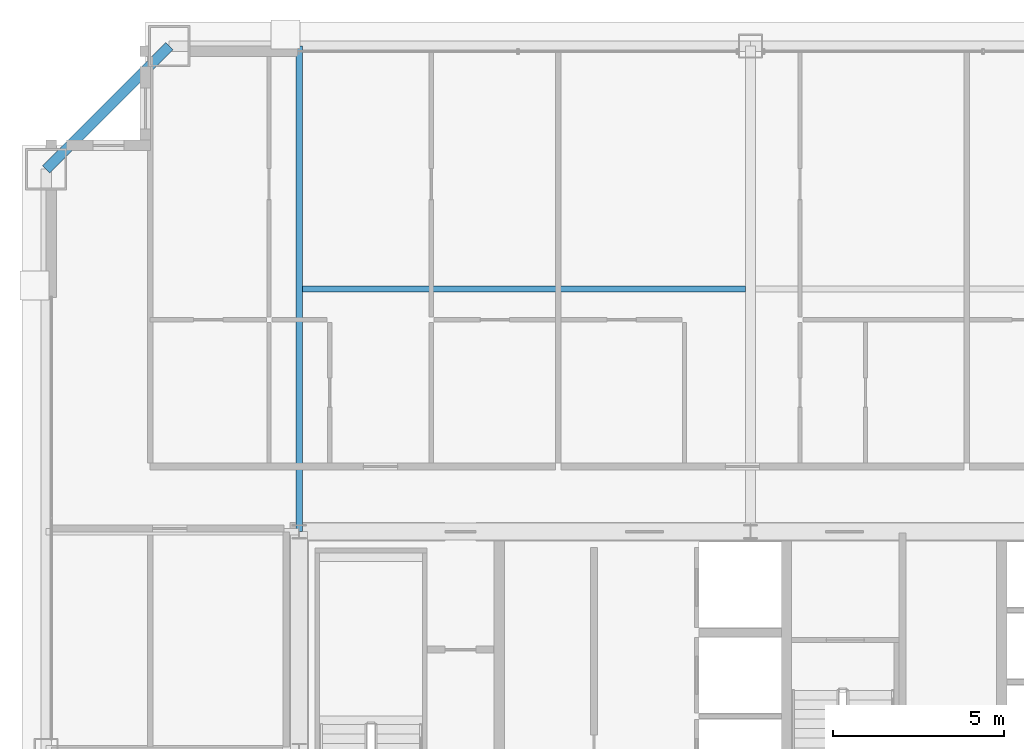
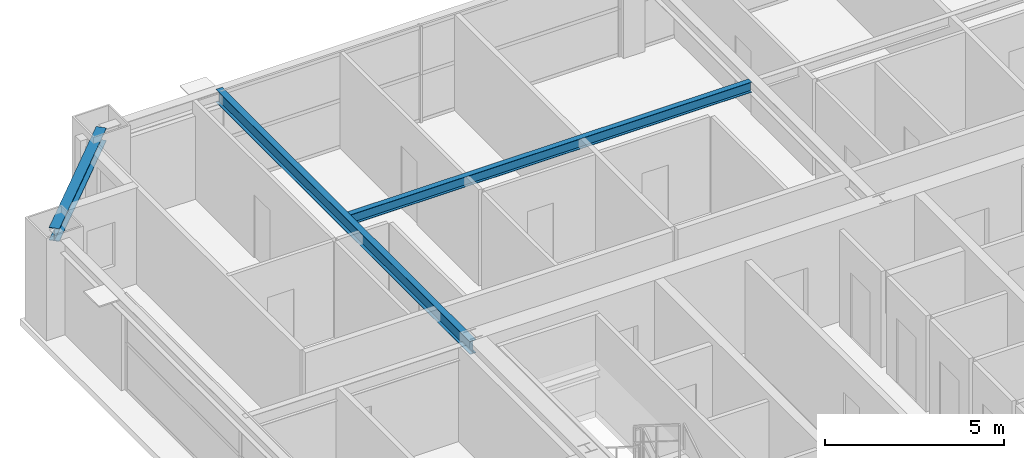
# One storey, part 23 of 37: 3 beams.
"""IFC4 building model written with IfcOpenShell, lengths in metres."""

import ifcopenshell
import ifcopenshell.guid

model = None  # the IFC model being written
_history = None  # IfcOwnerHistory: only IFC2X3 demands one
_inside = {}  # id of a spatial element -> (the spatial element, [elements in it])
_under = {}  # id of a project, library or spatial element -> (it, [spatial elements below it])
_declared = {}  # id of a project -> (the project, [libraries it declares])
_typed = {}  # id of a type object -> (the type object, [elements of that type])
_made_of = {}  # id of a material, layer set ... -> (it, [elements and type objects made of it])


def new_model(schema):
    """Start an empty IFC model of exactly this schema.

    Asked for "IFC4X3", IfcOpenShell would pick the latest addendum, in which some entities
    have other attributes; the version numbers below select the first issue.
    IFC2X3 requires an IfcOwnerHistory on every rooted entity: one is made here for all.
    """
    global model, _history
    if schema == "IFC4X3":
        model = ifcopenshell.file(schema_version=(4, 3, 0, 0))
    else:
        model = ifcopenshell.file(schema=schema)
    _inside.clear()
    _under.clear()
    _declared.clear()
    _typed.clear()
    _made_of.clear()
    _history = None
    if model.schema == "IFC2X3":
        org = make("IfcOrganization", Name="unknown")
        user = make(
            "IfcPersonAndOrganization",
            ThePerson=make("IfcPerson", FamilyName="unknown"),
            TheOrganization=org,
        )
        app = make(
            "IfcApplication",
            ApplicationDeveloper=org,
            Version="unknown",
            ApplicationFullName="unknown",
            ApplicationIdentifier="unknown",
        )
        _history = make(
            "IfcOwnerHistory",
            OwningUser=user,
            OwningApplication=app,
            ChangeAction="ADDED",
            CreationDate=0,
        )
    return model


def make(cls, **values):
    """One entity of the class cls with the attributes given. An attribute that is None is left unset."""
    return model.create_entity(
        cls, **{name: value for name, value in values.items() if value is not None}
    )


def rooted(cls, **values):
    """An entity with a GlobalId (a new one), such as an element, a storey or a relation."""
    return make(cls, GlobalId=ifcopenshell.guid.new(), OwnerHistory=_history, **values)


def si_unit(unit_type, name, prefix=None):
    """IfcSIUnit, for example si_unit("LENGTHUNIT", "METRE", prefix="MILLI")."""
    return make("IfcSIUnit", UnitType=unit_type, Prefix=prefix, Name=name)


def assignment(units):
    """IfcUnitAssignment: the units of a project."""
    return None if units is None else make("IfcUnitAssignment", Units=units)


def point(xyz):
    """IfcCartesianPoint."""
    return None if xyz is None else make("IfcCartesianPoint", Coordinates=xyz)


def direction(xyz):
    """IfcDirection."""
    return None if xyz is None else make("IfcDirection", DirectionRatios=xyz)


def frame(location, z_axis=None, x_axis=None):
    """IfcAxis2Placement3D, a coordinate frame: its origin and axes. An axis left out is left unset."""
    return make(
        "IfcAxis2Placement3D",
        Location=point(location),
        Axis=direction(z_axis),
        RefDirection=direction(x_axis),
    )


def frame_2d(location, x_axis=None):
    """IfcAxis2Placement2D, a coordinate frame in the plane: its origin and x axis."""
    return make(
        "IfcAxis2Placement2D", Location=point(location), RefDirection=direction(x_axis)
    )


def origin():
    """The frame at (0, 0, 0) with its axes left unset."""
    return frame((0.0, 0.0, 0.0))


def origin_2d():
    """The frame at (0, 0) in the plane with its x axis left unset."""
    return frame_2d((0.0, 0.0))


def place(relative_to, where):
    """IfcLocalPlacement: puts the frame where relative to a parent placement (None: the world)."""
    return make(
        "IfcLocalPlacement", PlacementRelTo=relative_to, RelativePlacement=where
    )


def context(
    kind, dimensions, precision=None, world=None, true_north=None, identifier=None
):
    """IfcGeometricRepresentationContext, for example the 3D "Model" context."""
    return make(
        "IfcGeometricRepresentationContext",
        ContextIdentifier=identifier,
        ContextType=kind,
        CoordinateSpaceDimension=dimensions,
        Precision=precision,
        WorldCoordinateSystem=world,
        TrueNorth=true_north,
    )


def subcontext(parent, identifier, kind, view, scale=None):
    """IfcGeometricRepresentationSubContext, for example "Body" below "Model"."""
    return make(
        "IfcGeometricRepresentationSubContext",
        ContextIdentifier=identifier,
        ContextType=kind,
        ParentContext=parent,
        TargetScale=scale,
        TargetView=view,
    )


def project(units=None, contexts=None):
    """IfcProject with its units and contexts."""
    return rooted(
        "IfcProject",
        Name="project",
        RepresentationContexts=contexts,
        UnitsInContext=assignment(units),
    )


def spatial(cls, under=None, at=None, **own):
    """A site, building, storey or space (cls), placed at a placement, below another one or the project."""
    s = rooted(cls, ObjectPlacement=at, **own)
    if under is not None:
        _under.setdefault(under.id(), (under, []))[1].append(s)
    return s


def profile(cls, at=None, kind="AREA", **sizes):
    """A parametric profile (cls). Its sizes go by their IFC names, for example OverallWidth=200.0."""
    return make(cls, ProfileType=kind, Position=at, **sizes)


def i_section(**sizes):
    """IfcIShapeProfileDef."""
    return profile("IfcIShapeProfileDef", **sizes)


def extrude(swept, where, along, depth):
    """IfcExtrudedAreaSolid: the profile swept, set in the frame where, extruded along a direction by depth."""
    return make(
        "IfcExtrudedAreaSolid",
        SweptArea=swept,
        Position=where,
        ExtrudedDirection=direction(along),
        Depth=depth,
    )


def shape(context_of_items, identifier, shape_type, items):
    """IfcShapeRepresentation: the items that make up one representation, for example the "Body"."""
    return make(
        "IfcShapeRepresentation",
        ContextOfItems=context_of_items,
        RepresentationIdentifier=identifier,
        RepresentationType=shape_type,
        Items=items,
    )


def source(mapping_origin, context_of_items, identifier, shape_type, items):
    """IfcRepresentationMap: a shape defined once, which mapped items show again and again."""
    return make(
        "IfcRepresentationMap",
        MappingOrigin=mapping_origin,
        MappedRepresentation=shape(context_of_items, identifier, shape_type, items),
    )


def transform(
    local_origin,
    x_axis=None,
    y_axis=None,
    z_axis=None,
    scale=None,
    scale2=None,
    scale3=None,
    uniform=True,
):
    """IfcCartesianTransformationOperator3D, or its non-uniform kind. x_axis, y_axis, z_axis: its Axis1, 2, 3."""
    if uniform:
        return make(
            "IfcCartesianTransformationOperator3D",
            Axis1=direction(x_axis),
            Axis2=direction(y_axis),
            LocalOrigin=point(local_origin),
            Scale=scale,
            Axis3=direction(z_axis),
        )
    return make(
        "IfcCartesianTransformationOperator3DnonUniform",
        Axis1=direction(x_axis),
        Axis2=direction(y_axis),
        LocalOrigin=point(local_origin),
        Scale=scale,
        Axis3=direction(z_axis),
        Scale2=scale2,
        Scale3=scale3,
    )


def mapped(mapping_source, mapping_target):
    """IfcMappedItem: shows the shape of a source again, moved by a transform."""
    return make(
        "IfcMappedItem", MappingSource=mapping_source, MappingTarget=mapping_target
    )


def material(Name=None, Category=None):
    """IfcMaterial."""
    return make("IfcMaterial", Name=Name, Category=Category)


def material_profile(
    of_material, cross_section, Name=None, Category=None, Priority=None
):
    """IfcMaterialProfile: a cross section and its material."""
    return make(
        "IfcMaterialProfile",
        Name=Name,
        Material=of_material,
        Profile=cross_section,
        Priority=Priority,
        Category=Category,
    )


def profile_set(profiles, Name=None, composite=None):
    """IfcMaterialProfileSet."""
    return make(
        "IfcMaterialProfileSet",
        Name=Name,
        MaterialProfiles=profiles,
        CompositeProfile=composite,
    )


def made_of(thing, what):
    """Note that an element or type object is made of a material, layer set ...; save() writes the relation."""
    if what is not None:
        _made_of.setdefault(what.id(), (what, []))[1].append(thing)
    return thing


def type_object(cls, material=None, **own):
    """A type object (cls), such as IfcWallType, which elements share."""
    return made_of(rooted(cls, **own), material)


def element(
    cls,
    number,
    at=None,
    inside=None,
    cuts=None,
    type_object=None,
    material=None,
    context=None,
    identifier="Body",
    shape_type=None,
    held_by="IfcProductDefinitionShape",
    body=None,
    shapes=None,
    **own,
):
    """One element of the class cls, such as IfcWall. Its Tag is "e" and its number.

    at: its placement. inside: the storey or other place that contains it. cuts: it is an
    opening in that element (IfcRelVoidsElement). A single representation is given by context,
    identifier, shape_type and body (its items); several are given by shapes. held_by: the class
    of the entity that holds the representations. save() writes the other relations.
    """
    e = rooted(cls, Tag="e%d" % number, ObjectPlacement=at, **own)
    if body is not None:
        shapes = [shape(context, identifier, shape_type, body)]
    if shapes is not None:
        e.Representation = make(held_by, Representations=shapes)
    if inside is not None:
        _inside.setdefault(inside.id(), (inside, []))[1].append(e)
    if cuts is not None:
        rooted(
            "IfcRelVoidsElement", RelatingBuildingElement=cuts, RelatedOpeningElement=e
        )
    if type_object is not None:
        _typed.setdefault(type_object.id(), (type_object, []))[1].append(e)
    return made_of(e, material)


def aggregate(whole, parts):
    """IfcRelAggregates: a whole, such as a stair, and the parts it consists of."""
    return rooted("IfcRelAggregates", RelatingObject=whole, RelatedObjects=parts)


def save(model, path):
    """Write the relations noted so far, then the file.

    IfcRelAggregates (storeys below a building ...), IfcRelContainedInSpatialStructure (elements
    in a storey), IfcRelDefinesByType, IfcRelAssociatesMaterial and IfcRelDeclares: one each for
    every whole, place, type object, material and project.
    """
    for whole, parts in _under.values():
        aggregate(whole, parts)
    for where, things in _inside.values():
        rooted(
            "IfcRelContainedInSpatialStructure",
            RelatedElements=things,
            RelatingStructure=where,
        )
    for kind, things in _typed.values():
        rooted("IfcRelDefinesByType", RelatedObjects=things, RelatingType=kind)
    for what, things in _made_of.values():
        rooted("IfcRelAssociatesMaterial", RelatedObjects=things, RelatingMaterial=what)
    for by, libraries in _declared.values():
        rooted("IfcRelDeclares", RelatingContext=by, RelatedDefinitions=libraries)
    model.write(path)


model = new_model("IFC4")

# Units and contexts
model_context = context("Model", 3, precision=1e-05, world=origin(), true_north=direction((0.0, 1.0)))
body_context = subcontext(model_context, "Body", "Model", "MODEL_VIEW")
ifc_project = project(units=[si_unit("LENGTHUNIT", "METRE"), si_unit("AREAUNIT", "SQUARE_METRE"), si_unit("VOLUMEUNIT", "CUBIC_METRE"), si_unit("PLANEANGLEUNIT", "RADIAN"), si_unit("MASSUNIT", "GRAM", prefix="KILO"), si_unit("THERMODYNAMICTEMPERATUREUNIT", "KELVIN"), si_unit("POWERUNIT", "WATT")], contexts=[model_context])

# Site, building, storey
site_placement = place(None, origin())
site = spatial("IfcSite", under=ifc_project, at=site_placement, CompositionType="ELEMENT")
building_placement = place(site_placement, origin())
building = spatial("IfcBuilding", under=site, at=building_placement, Name="Yuzanri Waterfront Tower", CompositionType="ELEMENT")
storey_placement = place(building_placement, frame((0.0, 0.0, 245.10009765625)))
storey = spatial("IfcBuildingStorey", under=building, at=storey_placement, Name="L65", CompositionType="ELEMENT", Elevation=245.10009765625)

# Beams
ifc_material_1 = material(Name="Steel Q355B", Category="steel")
ifc_material_profile_1 = material_profile(ifc_material_1, i_section(OverallWidth=0.300048828125, OverallDepth=0.43994140625, WebThickness=0.010986328125, FlangeThickness=0.01806640625, at=origin_2d()), Name="HM 440x300x11x18")
ifc_profile_set_1 = profile_set([ifc_material_profile_1], Name="Steel Q355B")
beam_type_1 = type_object("IfcBeamType", Name="Perimeter Spandrel Q355B HM 440x300", PredefinedType="SPANDREL", material=ifc_profile_set_1)
shared_shape_1 = source(origin(), body_context, "Body", "SweptSolid", [
    extrude(i_section(OverallWidth=0.300048828125, OverallDepth=0.43994140625, WebThickness=0.010986328125, FlangeThickness=0.01806640625, at=origin_2d()), origin(), (0.0, 0.0, 1.0), 5.091064453125),
])
beam_1_placement = place(storey_placement, frame((20.0, 46.39990234375, 3.059814453125), z_axis=(-0.707130757816, -0.707082803744, 0.0), x_axis=(0.707082803744, -0.707130757816, 0.0)))
element("IfcBeam", 1, at=beam_1_placement, inside=storey, type_object=beam_type_1, Name="L65 Perimeter Spandrel N1-W3", PredefinedType="SPANDREL", context=body_context, shape_type="MappedRepresentation", body=[
    mapped(shared_shape_1, transform((0.0, 0.0, 0.0), scale=1.0)),
])
ifc_material_2 = material(Name="Steel Q355B", Category="steel")
ifc_material_profile_2 = material_profile(ifc_material_2, i_section(OverallWidth=0.199951171875, OverallDepth=0.449951171875, WebThickness=0.009033203125, FlangeThickness=0.013916015625, at=origin_2d()), Name="HN 450x200x9x14")
ifc_profile_set_2 = profile_set([ifc_material_profile_2], Name="Steel Q355B")
beam_type_2 = type_object("IfcBeamType", Name="Secondary Floor Beam Q355B HN 450x200", PredefinedType="BEAM", material=ifc_profile_set_2)
shared_shape_2 = source(origin(), body_context, "Body", "SweptSolid", [
    extrude(i_section(OverallWidth=0.199951171875, OverallDepth=0.449951171875, WebThickness=0.009033203125, FlangeThickness=0.013916015625, at=origin_2d()), origin(), (0.0, 0.0, 1.0), 14.199951171875),
])
beam_2_placement = place(storey_placement, frame((23.800048828125, 32.199951171875, 3.054931640625), z_axis=(0.0, 1.0, 0.0), x_axis=(-1.0, 0.0, 0.0)))
element("IfcBeam", 2, at=beam_2_placement, inside=storey, type_object=beam_type_2, Name="L65 North-West Core Line Beam", PredefinedType="BEAM", context=body_context, shape_type="MappedRepresentation", body=[
    mapped(shared_shape_2, transform((0.0, 0.0, 0.0), scale=1.0)),
])
ifc_material_3 = material(Name="Steel Q355B", Category="steel")
ifc_material_profile_3 = material_profile(ifc_material_3, i_section(OverallWidth=0.175048828125, OverallDepth=0.35009765625, WebThickness=0.007080078125, FlangeThickness=0.010986328125, at=origin_2d()), Name="HN 350x175x7x11")
ifc_profile_set_3 = profile_set([ifc_material_profile_3], Name="Steel Q355B")
beam_type_3 = type_object("IfcBeamType", Name="Floor Joist Q355B HN 350x175", PredefinedType="JOIST", material=ifc_profile_set_3)
shared_shape_3 = source(origin(), body_context, "Body", "SweptSolid", [
    extrude(i_section(OverallWidth=0.175048828125, OverallDepth=0.35009765625, WebThickness=0.007080078125, FlangeThickness=0.010986328125, at=origin_2d()), origin(), (0.0, 0.0, 1.0), 12.9501953125),
])
beam_3_placement = place(storey_placement, frame((23.89990234375, 39.300048828125, 3.10498046875), z_axis=(1.0, 0.0, 0.0), x_axis=(0.0, 1.0, 0.0)))
element("IfcBeam", 3, at=beam_3_placement, inside=storey, type_object=beam_type_3, Name="L65 North Bay Joist W", PredefinedType="JOIST", context=body_context, shape_type="MappedRepresentation", body=[
    mapped(shared_shape_3, transform((0.0, 0.0, 0.0), scale=1.0)),
])

save(model, "model.ifc")
